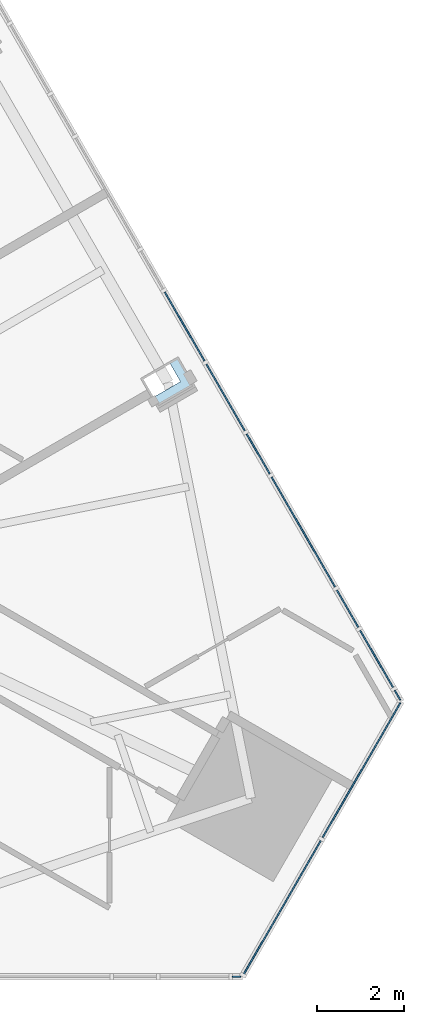
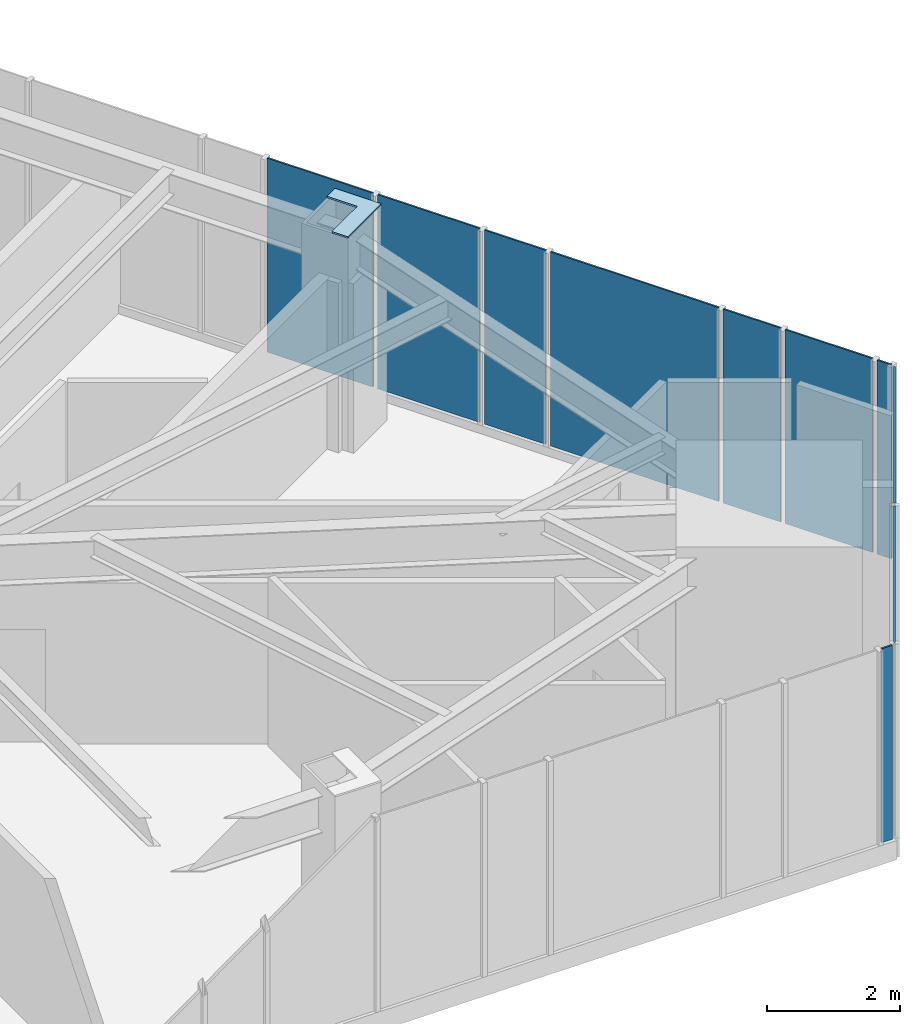
# One storey, part 16 of 26: 11 plates, 3 elements without a shape of their own.
"""IFC4 building model written with IfcOpenShell, lengths in metres."""

from ifc_helpers import new_model, si_unit, direction, frame, origin, place, context, subcontext, project, spatial, polyline, outline, extrude, material, layer, layer_set, type_object, element, aggregate, save


model = new_model("IFC4")

# Units and contexts
model_context = context("Model", 3, precision=1e-05, world=origin(), true_north=direction((0.0, 1.0)))
body_context = subcontext(model_context, "Body", "Model", "MODEL_VIEW")
ifc_project = project(units=[si_unit("LENGTHUNIT", "METRE"), si_unit("AREAUNIT", "SQUARE_METRE"), si_unit("VOLUMEUNIT", "CUBIC_METRE"), si_unit("PLANEANGLEUNIT", "RADIAN"), si_unit("MASSUNIT", "GRAM", prefix="KILO")], contexts=[model_context])

# Site, building, storey
site_placement = place(None, origin())
site = spatial("IfcSite", under=ifc_project, at=site_placement, CompositionType="ELEMENT")
building_placement = place(site_placement, origin())
building = spatial("IfcBuilding", under=site, at=building_placement, Name="Firuza Gate Tower and Library", CompositionType="ELEMENT")
storey_placement = place(building_placement, frame((0.0, 0.0, 175.300048828125)))
storey = spatial("IfcBuildingStorey", under=building, at=storey_placement, Name="L40", CompositionType="ELEMENT", Elevation=175.300048828125)

# Plate
ifc_material_1 = material(Name="Steel S355", Category="steel")
ifc_layer_1 = layer(ifc_material_1, 0.030029296875)
ifc_layer_set_1 = layer_set([ifc_layer_1], Name="Column infill plate 30 Steel S355")
plate_type_1 = type_object("IfcPlateType", Name="Column infill plate 30 Steel S355", PredefinedType="SHEET", material=ifc_layer_set_1)
plate_1_placement = place(storey_placement, frame((0.0, 0.0, 3.89990234375)))
element("IfcPlate", 1, at=plate_1_placement, inside=storey, type_object=plate_type_1, Name="Infill plate L40:E1", PredefinedType="SHEET", context=body_context, shape_type="SweptSolid", body=[
    extrude(outline(polyline([(100.45849609375, 69.463623046875), (100.251220703125, 69.343994140625), (100.51318359375, 68.890380859375), (99.854248046875, 68.510009765625), (99.992431640625, 68.270751953125), (100.8583984375, 68.770751953125), (100.45849609375, 69.463623046875)])), origin(), (0.0, 0.0, 1.0), 0.030029296875),
])

# Curtain wall, plates
ifc_material_2 = material(Name="Aluminium 6063-T6", Category="aluminium")
ifc_layer_2 = layer(ifc_material_2, 0.14990234375)
ifc_layer_set_2 = layer_set([ifc_layer_2], Name="Corner curtain wall, chamfers")
curtain_wall_type_1 = type_object("IfcCurtainWallType", Name="Corner curtain wall, chamfers", PredefinedType="NOTDEFINED", material=ifc_layer_set_2)
placement = place(storey_placement, origin())
curtain_wall_1 = element("IfcCurtainWall", 2, at=placement, inside=storey, type_object=curtain_wall_type_1, Name="CW4 L40 SE corner", PredefinedType="NOTDEFINED")
ifc_material_3 = material(Name="Fritted glass", Category="glass")
ifc_layer_3 = layer(ifc_material_3, 0.030029296875)
ifc_layer_set_3 = layer_set([ifc_layer_3], Name="Fritted glass unit, corners")
plate_type_2 = type_object("IfcPlateType", Name="Fritted glass unit, corners", PredefinedType="CURTAIN_PANEL", material=ifc_layer_set_3)
plate_2_placement = place(storey_placement, frame((101.962158203125, 55.272705078125, 0.14990234375), z_axis=(0.866046390552, -0.49996364809, 0.0), x_axis=(0.49996364809, 0.866046390552, 0.0)))
plate_2 = element("IfcPlate", 3, at=plate_2_placement, type_object=plate_type_2, Name="Glass unit", PredefinedType="CURTAIN_PANEL", context=body_context, shape_type="SweptSolid", body=[
    extrude(outline(polyline([(0.0, 0.0), (3.563247342942594, 0.0), (3.563247342942594, 3.550048828125), (0.0, 3.550048828125), (0.0, 0.0)])), origin(), (0.0, 0.0, -1.0), 0.030029296875),
])
plate_3_placement = place(storey_placement, frame((103.78369140625, 58.427978515625, 0.14990234375), z_axis=(0.866016723041, -0.500015035186, 0.0), x_axis=(0.500015035186, 0.866016723041, 0.0)))
plate_3 = element("IfcPlate", 4, at=plate_3_placement, type_object=plate_type_2, Name="Glass unit", PredefinedType="CURTAIN_PANEL", context=body_context, shape_type="SweptSolid", body=[
    extrude(outline(polyline([(0.0, 0.0), (3.5633694106530625, 0.0), (3.5633694106530625, 3.550048828125), (0.0, 3.550048828125), (0.0, 0.0)])), origin(), (0.0, 0.0, -1.0), 0.030029296875),
])
aggregate(curtain_wall_1, [plate_2, plate_3])

ifc_material_4 = material(Name="Aluminium 6063-T6", Category="aluminium")
ifc_layer_4 = layer(ifc_material_4, 0.14990234375)
ifc_layer_set_4 = layer_set([ifc_layer_4], Name="Unitised curtain wall, hotel")
curtain_wall_type_2 = type_object("IfcCurtainWallType", Name="Unitised curtain wall, hotel", PredefinedType="NOTDEFINED", material=ifc_layer_set_4)
curtain_wall_2 = element("IfcCurtainWall", 5, at=placement, inside=storey, type_object=curtain_wall_type_2, Name="CW2 L40 E face", PredefinedType="NOTDEFINED")
ifc_material_5 = material(Name="Fritted glass", Category="glass")
ifc_layer_5 = layer(ifc_material_5, 0.030029296875)
ifc_layer_set_5 = layer_set([ifc_layer_5], Name="Fritted glass unit, hotel")
plate_type_3 = type_object("IfcPlateType", Name="Fritted glass unit, hotel", PredefinedType="CURTAIN_PANEL", material=ifc_layer_set_5)
plate_4_placement = place(storey_placement, frame((105.39990234375, 61.885009765625, 0.14990234375), z_axis=(0.865975554641, 0.500086331311, 0.0), x_axis=(-0.500086331311, 0.865975554641, 0.0)))
plate_4 = element("IfcPlate", 6, at=plate_4_placement, type_object=plate_type_3, Name="Glass unit", PredefinedType="CURTAIN_PANEL", context=body_context, shape_type="SweptSolid", body=[
    extrude(outline(polyline([(0.0, 0.0), (1.5099931868658403, 0.0), (1.5099931868658403, 3.550048828125), (0.0, 3.550048828125), (0.0, 0.0)])), origin(), (0.0, 0.0, -1.0), 0.030029296875),
])
plate_5_placement = place(storey_placement, frame((102.001708984375, 67.7705078125, 0.14990234375), z_axis=(0.866017810474, 0.500013151769, 0.0), x_axis=(-0.500013151769, 0.866017810474, 0.0)))
plate_5 = element("IfcPlate", 7, at=plate_5_placement, type_object=plate_type_3, Name="Glass unit", PredefinedType="CURTAIN_PANEL", context=body_context, shape_type="SweptSolid", body=[
    extrude(outline(polyline([(0.0, 0.0), (1.7689964378864484, 0.0), (1.7689964378864484, 3.550048828125), (0.0, 3.550048828125), (0.0, 0.0)])), origin(), (0.0, 0.0, -1.0), 0.030029296875),
])
plate_6_placement = place(storey_placement, frame((101.0771484375, 69.371826171875, 0.14990234375), z_axis=(0.866038699073, 0.499976971178, 0.0), x_axis=(-0.499976971178, 0.866038699073, 0.0)))
plate_6 = element("IfcPlate", 8, at=plate_6_placement, type_object=plate_type_3, Name="Glass unit", PredefinedType="CURTAIN_PANEL", context=body_context, shape_type="SweptSolid", body=[
    extrude(outline(polyline([(0.0, 0.0), (1.8267442917891878, 0.0), (1.8267442917891878, 3.550048828125), (0.0, 3.550048828125), (0.0, 0.0)])), origin(), (0.0, 0.0, -1.0), 0.030029296875),
])

# Curtain wall, plate
curtain_wall_3 = element("IfcCurtainWall", 9, at=placement, inside=storey, type_object=curtain_wall_type_2, Name="CW2 L40 S face", PredefinedType="NOTDEFINED")
ifc_material_6 = material(Name="Glazed ceramic tile")
ifc_layer_6 = layer(ifc_material_6, 0.030029296875)
ifc_layer_set_6 = layer_set([ifc_layer_6], Name="Opaque ceramic panel, hotel")
plate_type_4 = type_object("IfcPlateType", Name="Opaque ceramic panel, hotel", PredefinedType="CURTAIN_PANEL", material=ifc_layer_set_6)
plate_7_placement = place(storey_placement, frame((101.702880859375, 55.23046875, 0.14990234375), z_axis=(0.0, -1.0, 0.0), x_axis=(1.0, 0.0, 0.0)))
plate_7 = element("IfcPlate", 10, at=plate_7_placement, type_object=plate_type_4, Name="Opaque ceramic panel", PredefinedType="CURTAIN_PANEL", context=body_context, shape_type="SweptSolid", body=[
    extrude(outline(polyline([(0.0, 0.0), (0.186279296875, 0.0), (0.186279296875, 3.550048828125), (0.0, 3.550048828125), (0.0, 0.0)])), origin(), (0.0, 0.0, -1.0), 0.030029296875),
])
aggregate(curtain_wall_3, [plate_7])

# Plate
plate_8_placement = place(storey_placement, frame((105.5654296875, 61.59814453125, 0.14990234375), z_axis=(0.865780878536, 0.500423291185, 0.0), x_axis=(-0.500423291185, 0.865780878536, 0.0)))
plate_8 = element("IfcPlate", 11, at=plate_8_placement, type_object=plate_type_4, Name="Opaque ceramic panel", PredefinedType="CURTAIN_PANEL", context=body_context, shape_type="SweptSolid", body=[
    extrude(outline(polyline([(0.0, 0.0), (0.2512521381192305, 0.0), (0.2512521381192305, 3.550048828125), (0.0, 3.550048828125), (0.0, 0.0)])), origin(), (0.0, 0.0, -1.0), 0.030029296875),
])

plate_9_placement = place(storey_placement, frame((104.604736328125, 63.261962890625, 0.14990234375), z_axis=(0.86606660439, 0.499928631667, 0.0), x_axis=(-0.499928631667, 0.86606660439, 0.0)))
plate_9 = element("IfcPlate", 12, at=plate_9_placement, type_object=plate_type_4, Name="Opaque ceramic panel", PredefinedType="CURTAIN_PANEL", context=body_context, shape_type="SweptSolid", body=[
    extrude(outline(polyline([(0.0, 0.0), (0.9908640888874668, 0.0), (0.9908640888874668, 3.550048828125), (0.0, 3.550048828125), (0.0, 0.0)])), origin(), (0.0, 0.0, -1.0), 0.030029296875),
])

plate_10_placement = place(storey_placement, frame((104.0693359375, 64.189453125, 0.14990234375), z_axis=(0.866026430432, 0.49999822179, 0.0), x_axis=(-0.49999822179, 0.866026430432, 0.0)))
plate_10 = element("IfcPlate", 13, at=plate_10_placement, type_object=plate_type_4, Name="Opaque ceramic panel", PredefinedType="CURTAIN_PANEL", context=body_context, shape_type="SweptSolid", body=[
    extrude(outline(polyline([(0.0, 0.0), (2.9121197317183585, 0.0), (2.9121197317183585, 3.550048828125), (0.0, 3.550048828125), (0.0, 0.0)])), origin(), (0.0, 0.0, -1.0), 0.030029296875),
])

plate_11_placement = place(storey_placement, frame((102.5732421875, 66.780517578125, 0.14990234375), z_axis=(0.866044085476, 0.499967640965, 0.0), x_axis=(-0.499967640965, 0.866044085476, 0.0)))
plate_11 = element("IfcPlate", 14, at=plate_11_placement, type_object=plate_type_4, Name="Opaque ceramic panel", PredefinedType="CURTAIN_PANEL", context=body_context, shape_type="SweptSolid", body=[
    extrude(outline(polyline([(0.0, 0.0), (1.0630570802516242, 0.0), (1.0630570802516242, 3.550048828125), (0.0, 3.550048828125), (0.0, 0.0)])), origin(), (0.0, 0.0, -1.0), 0.030029296875),
])

aggregate(curtain_wall_2, [plate_8, plate_4, plate_9, plate_10, plate_11, plate_5, plate_6])

save(model, "model.ifc")
